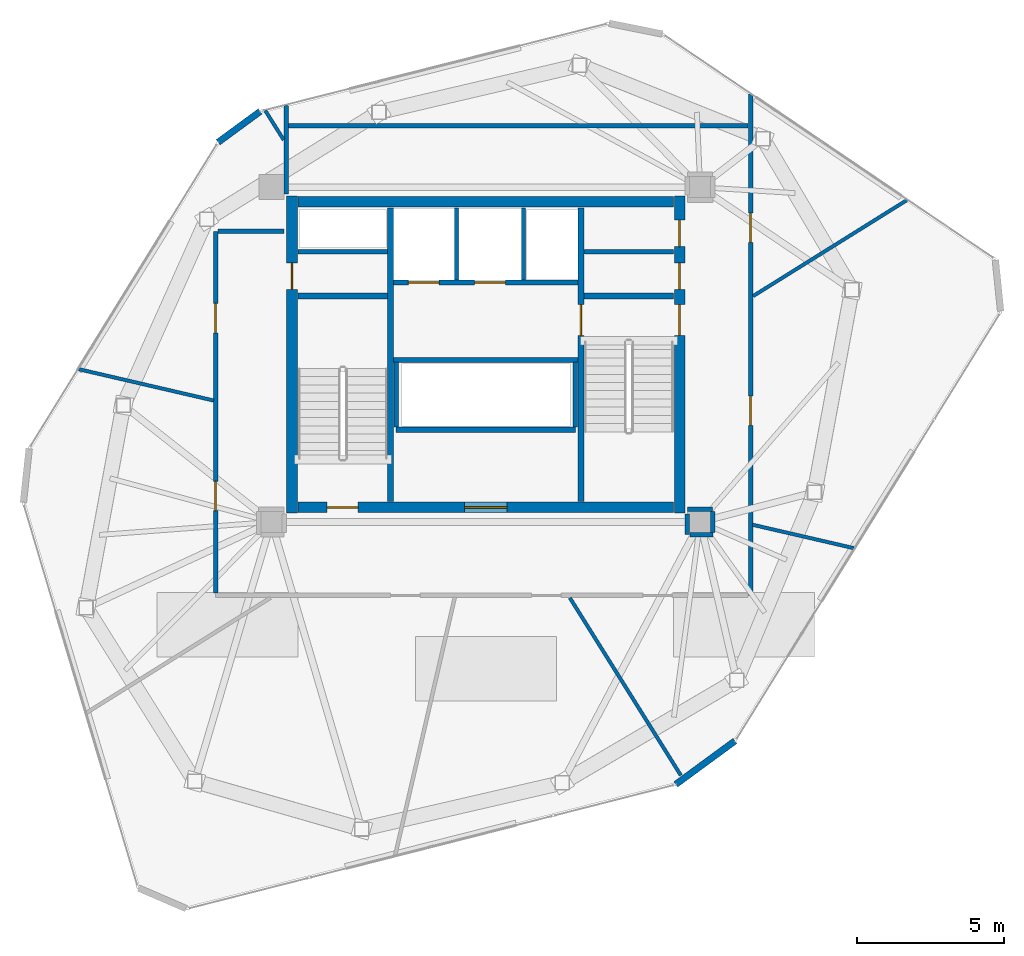
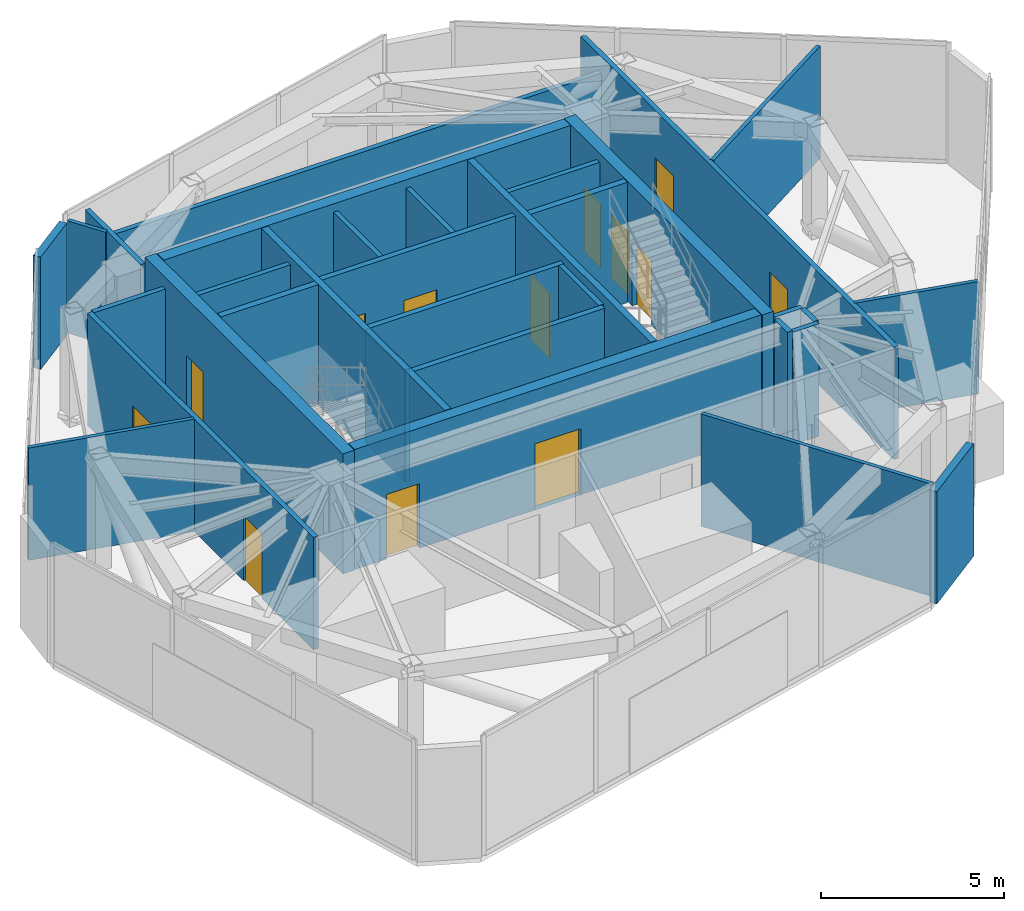
# One storey, part 18 of 21: 33 walls, 13 doors, 13 openings.
"""IFC4 building model written with IfcOpenShell, lengths in metres."""

from ifc_helpers import new_model, si_unit, direction, frame, frame_2d, origin, place, context, subcontext, project, spatial, rectangle, extrude, source, transform, mapped, material, layer, layer_set, type_object, type_shapes, element, fill, save


model = new_model("IFC4")

# Units and contexts
model_context = context("Model", 3, precision=1e-05, world=origin(), true_north=direction((0.0, 1.0)))
body_context = subcontext(model_context, "Body", "Model", "MODEL_VIEW")
ifc_project = project(units=[si_unit("LENGTHUNIT", "METRE"), si_unit("AREAUNIT", "SQUARE_METRE"), si_unit("VOLUMEUNIT", "CUBIC_METRE"), si_unit("PLANEANGLEUNIT", "RADIAN"), si_unit("MASSUNIT", "GRAM", prefix="KILO")], contexts=[model_context])

# Site, building, storey
site_placement = place(None, origin())
site = spatial("IfcSite", under=ifc_project, at=site_placement, CompositionType="ELEMENT")
building_placement = place(site_placement, origin())
building = spatial("IfcBuilding", under=site, at=building_placement, Name="Talar Marvaseh", CompositionType="ELEMENT")
storey_placement = place(building_placement, frame((0.0, 0.0, 300.0)))
storey = spatial("IfcBuildingStorey", under=building, at=storey_placement, Name="L80", CompositionType="ELEMENT", Elevation=300.0)

# Walls
ifc_material_1 = material(Name="Precast concrete C45/55", Category="concrete")
ifc_layer_1 = layer(ifc_material_1, 0.22509765625)
ifc_layer_set_1 = layer_set([ifc_layer_1], Name="Precast concrete C45/55")
wall_type_1 = type_object("IfcWallType", Name="Chamfered Hexagonal Corner Pier Wall Z4 225", PredefinedType="SOLIDWALL", material=ifc_layer_set_1)
wall_1_placement = place(storey_placement, frame((16.88134765625, 38.4306640625, 0.0), z_axis=(0.0, 0.0, 1.0), x_axis=(0.80650088536, 0.591232882977, 0.0)))
element("IfcWall", 1, at=wall_1_placement, inside=storey, type_object=wall_type_1, Name="L80 Chamfered Corner Limestone Pier 3", PredefinedType="SOLIDWALL", context=body_context, shape_type="SweptSolid", body=[
    extrude(rectangle(XDim=1.780517578125, YDim=0.22509765625, at=frame_2d((0.89013671875, 0.0))), origin(), (0.0, 0.0, 1.0), 3.739990234375),
])
wall_2_placement = place(storey_placement, frame((34.4873046875, 18.040771484375, 0.0), z_axis=(0.0, 0.0, 1.0), x_axis=(-0.806439112662, -0.591317137896, 0.0)))
element("IfcWall", 2, at=wall_2_placement, inside=storey, type_object=wall_type_1, Name="L80 Chamfered Corner Limestone Pier 6", PredefinedType="SOLIDWALL", context=body_context, shape_type="SweptSolid", body=[
    extrude(rectangle(XDim=2.50244140625, YDim=0.22509765625, at=frame_2d((1.251220703125, 0.0))), origin(), (0.0, 0.0, 1.0), 3.739990234375),
])
ifc_material_2 = material(Name="Gypsum Board Partition Assembly")
ifc_layer_2 = layer(ifc_material_2, 0.155029296875)
ifc_layer_set_2 = layer_set([ifc_layer_2], Name="Gypsum Board Partition Assembly")
wall_type_2 = type_object("IfcWallType", Name="Corridor Fire-Rated Acoustic Partition 155", PredefinedType="PARTITIONING", material=ifc_layer_set_2)
for number, where, z_axis, x_axis, name in (
    (3, (19.60009765625, 34.699951171875, 0.0), (0.0, 0.0, 1.0), (1.0, 0.0, 0.0), "L80 Core BOH Partition"),
    (4, (29.340087890625, 34.699951171875, 0.0), (0.0, 0.0, 1.0), (1.0, 0.0, 0.0), "L80 Core BOH Partition"),
):
    element("IfcWall", number, at=place(storey_placement, frame(where, z_axis=z_axis, x_axis=x_axis)), inside=storey, type_object=wall_type_2, Name=name, PredefinedType="PARTITIONING", context=body_context, shape_type="SweptSolid", body=[
        extrude(rectangle(XDim=3.059814453125, YDim=0.155029296875, at=frame_2d((1.52978515625, 0.0))), origin(), (0.0, 0.0, 1.0), 3.739990234375),
    ])

# Wall, openings, doors
wall_3_placement = place(storey_placement, frame((35.02001953125, 40.06689453125, 0.0), z_axis=(0.0, 0.0, 1.0), x_axis=(0.0, -1.0, 0.0)))
wall_3 = element("IfcWall", 5, at=wall_3_placement, inside=storey, type_object=wall_type_2, Name="L80 Interior Partition Wall", PredefinedType="PARTITIONING", context=body_context, shape_type="SweptSolid", body=[
    extrude(rectangle(XDim=17.06689453125, YDim=0.155029296875, at=frame_2d((8.533447265625, 0.0))), origin(), (0.0, 0.0, 1.0), 3.739990234375),
])
opening_1_placement = place(wall_3_placement, frame((10.279296875, 0.0, 0.0)))
opening_1 = element("IfcOpeningElement", 6, at=opening_1_placement, cuts=wall_3, Name="Opening DR-RM100", PredefinedType="OPENING", context=body_context, shape_type="SweptSolid", body=[
    extrude(rectangle(XDim=1.0, YDim=2.14990234375, at=frame_2d((0.5, 1.074951171875))), frame((0.0, 0.08740234375, 0.0), z_axis=(0.0, -1.0, 0.0), x_axis=(1.0, 0.0, 0.0)), (0.0, 0.0, 1.0), 0.175048828125),
])
opening_2_placement = place(wall_3_placement, frame((4.049072265625, 0.0, 0.0)))
opening_2 = element("IfcOpeningElement", 7, at=opening_2_placement, cuts=wall_3, Name="Opening DR-RM100", PredefinedType="OPENING", context=body_context, shape_type="SweptSolid", body=[
    extrude(rectangle(XDim=1.0, YDim=2.14990234375, at=frame_2d((0.5, 1.074951171875))), frame((0.0, 0.08740234375, 0.0), z_axis=(0.0, -1.0, 0.0), x_axis=(1.0, 0.0, 0.0)), (0.0, 0.0, 1.0), 0.175048828125),
])
ifc_material_3 = material(Name="Acoustic Engineered Oak Timber", Category="wood")
door_type_1 = type_object("IfcDoorType", Name="Corridor Fire-Rated Gallery Door 1000x2150", OperationType="NOTDEFINED", PredefinedType="DOOR", material=ifc_material_3)
shared_shape_1 = source(origin(), body_context, "Body", "SweptSolid", [
    extrude(rectangle(XDim=1.0, YDim=2.14990234375, at=frame_2d((0.5, 1.074951171875))), frame((0.0, 0.02490234375, 0.0), z_axis=(0.0, -1.0, 0.0), x_axis=(1.0, 0.0, 0.0)), (0.0, 0.0, 1.0), 0.050048828125),
])
type_shapes(door_type_1, [shared_shape_1])
door_1_placement = place(opening_1_placement, origin())
door_1 = element("IfcDoor", 8, at=door_1_placement, inside=storey, type_object=door_type_1, Name="L80 Heat Recovery Mechanical Plant Room Door", OperationType="SINGLE_SWING_LEFT", OverallHeight=2.14990234375, OverallWidth=1.0, PredefinedType="DOOR", context=body_context, shape_type="MappedRepresentation", body=[
    mapped(shared_shape_1, transform((0.0, 0.0, 0.0), x_axis=(1.0, 0.0, 0.0), y_axis=(0.0, 1.0, 0.0), z_axis=(0.0, 0.0, 1.0), scale=1.0)),
])
fill(opening_1, door_1)
door_2_placement = place(opening_2_placement, origin())
door_2 = element("IfcDoor", 9, at=door_2_placement, inside=storey, type_object=door_type_1, Name="L80 BMS Telecoms Control Plant Room Door", OperationType="SINGLE_SWING_RIGHT", OverallHeight=2.14990234375, OverallWidth=1.0, PredefinedType="DOOR", context=body_context, shape_type="MappedRepresentation", body=[
    mapped(shared_shape_1, transform((0.0, 0.0, 0.0), x_axis=(1.0, 0.0, 0.0), y_axis=(0.0, 1.0, 0.0), z_axis=(0.0, 0.0, 1.0), scale=1.0)),
])
fill(opening_2, door_2)

wall_4_placement = place(storey_placement, frame((16.800048828125, 23.08349609375, 0.0), z_axis=(0.0, 0.0, 1.0), x_axis=(0.0, 1.0, 0.0)))
wall_4 = element("IfcWall", 10, at=wall_4_placement, inside=storey, type_object=wall_type_2, Name="L80 Interior Partition Wall", PredefinedType="PARTITIONING", context=body_context, shape_type="SweptSolid", body=[
    extrude(rectangle(XDim=12.31640625, YDim=0.155029296875, at=frame_2d((6.158203125, 0.0))), origin(), (0.0, 0.0, 1.0), 3.739990234375),
])
opening_3_placement = place(wall_4_placement, frame((2.80029296875, 0.0, 0.0)))
opening_3 = element("IfcOpeningElement", 11, at=opening_3_placement, cuts=wall_4, Name="Opening DR-RM100", PredefinedType="OPENING", context=body_context, shape_type="SweptSolid", body=[
    extrude(rectangle(XDim=1.0, YDim=2.14990234375, at=frame_2d((0.5, 1.074951171875))), frame((0.0, 0.08740234375, 0.0), z_axis=(0.0, -1.0, 0.0), x_axis=(1.0, 0.0, 0.0)), (0.0, 0.0, 1.0), 0.175048828125),
])
opening_4_placement = place(wall_4_placement, frame((8.858642578125, 0.0, 0.0)))
opening_4 = element("IfcOpeningElement", 12, at=opening_4_placement, cuts=wall_4, Name="Opening DR-RM100", PredefinedType="OPENING", context=body_context, shape_type="SweptSolid", body=[
    extrude(rectangle(XDim=1.0, YDim=2.14990234375, at=frame_2d((0.5, 1.074951171875))), frame((0.0, 0.08740234375, 0.0), z_axis=(0.0, -1.0, 0.0), x_axis=(1.0, 0.0, 0.0)), (0.0, 0.0, 1.0), 0.175048828125),
])
door_3_placement = place(opening_3_placement, origin())
door_3 = element("IfcDoor", 13, at=door_3_placement, inside=storey, type_object=door_type_1, Name="L80 Chiller and Cooling Plant Room Door", OperationType="SINGLE_SWING_LEFT", OverallHeight=2.14990234375, OverallWidth=1.0, PredefinedType="DOOR", context=body_context, shape_type="MappedRepresentation", body=[
    mapped(shared_shape_1, transform((0.0, 0.0, 0.0), x_axis=(1.0, 0.0, 0.0), y_axis=(0.0, 1.0, 0.0), z_axis=(0.0, 0.0, 1.0), scale=1.0)),
])
fill(opening_3, door_3)
door_4_placement = place(opening_4_placement, origin())
door_4 = element("IfcDoor", 14, at=door_4_placement, inside=storey, type_object=door_type_1, Name="L80 Crown Pressurization Fan Plant Room Door", OperationType="SINGLE_SWING_LEFT", OverallHeight=2.14990234375, OverallWidth=1.0, PredefinedType="DOOR", context=body_context, shape_type="MappedRepresentation", body=[
    mapped(shared_shape_1, transform((0.0, 0.0, 0.0), x_axis=(1.0, 0.0, 0.0), y_axis=(0.0, 1.0, 0.0), z_axis=(0.0, 0.0, 1.0), scale=1.0)),
])
fill(opening_4, door_4)

# Walls
wall_5_placement = place(storey_placement, frame((16.883544921875, 35.39990234375, 0.0), z_axis=(0.0, 0.0, 1.0), x_axis=(1.0, 0.0, 0.0)))
element("IfcWall", 15, at=wall_5_placement, inside=storey, type_object=wall_type_2, Name="L80 Interior Partition Wall", PredefinedType="PARTITIONING", context=body_context, shape_type="SweptSolid", body=[
    extrude(rectangle(XDim=2.246337890625, YDim=0.155029296875, at=frame_2d((1.123046875, 0.0))), origin(), (0.0, 0.0, 1.0), 3.739990234375),
])
wall_6_placement = place(storey_placement, frame((19.199951171875, 36.669921875, 0.0), z_axis=(0.0, 0.0, 1.0), x_axis=(0.0, 1.0, 0.0)))
element("IfcWall", 16, at=wall_6_placement, inside=storey, type_object=wall_type_2, Name="L80 Interior Partition Wall", PredefinedType="PARTITIONING", context=body_context, shape_type="SweptSolid", body=[
    extrude(rectangle(XDim=3.01611328125, YDim=0.155029296875, at=frame_2d((1.508056640625, 0.0))), origin(), (0.0, 0.0, 1.0), 3.739990234375),
])
wall_7_placement = place(storey_placement, frame((19.283447265625, 39.0, 0.0), z_axis=(0.0, 0.0, 1.0), x_axis=(1.0, 0.0, 0.0)))
element("IfcWall", 17, at=wall_7_placement, inside=storey, type_object=wall_type_2, Name="L80 Interior Partition Wall", PredefinedType="PARTITIONING", context=body_context, shape_type="SweptSolid", body=[
    extrude(rectangle(XDim=15.653076171875, YDim=0.155029296875, at=frame_2d((7.82666015625, 0.0))), origin(), (0.0, 0.0, 1.0), 3.215087890625),
])
wall_8_placement = place(storey_placement, frame((33.72509765625, 25.93994140625, 0.0), z_axis=(0.0, 0.0, 1.0), x_axis=(-0.999986790873, -0.005139852152, 0.0)))
element("IfcWall", 18, at=wall_8_placement, inside=storey, type_object=wall_type_2, Name="L80 Interior Partition Wall", PredefinedType="PARTITIONING", context=body_context, shape_type="SweptSolid", body=[
    extrude(rectangle(XDim=0.85498046875, YDim=0.155029296875, at=frame_2d((0.427490234375, 0.0))), origin(), (0.0, 0.0, 1.0), 3.739990234375),
])
wall_9_placement = place(storey_placement, frame((32.864501953125, 25.772705078125, 0.0), z_axis=(0.0, 0.0, 1.0), x_axis=(0.0, -1.0, 0.0)))
element("IfcWall", 19, at=wall_9_placement, inside=storey, type_object=wall_type_2, Name="L80 Interior Partition Wall", PredefinedType="PARTITIONING", context=body_context, shape_type="SweptSolid", body=[
    extrude(rectangle(XDim=0.708251953125, YDim=0.155029296875, at=frame_2d((0.35400390625, 0.0))), origin(), (0.0, 0.0, 1.0), 3.739990234375),
])
wall_10_placement = place(storey_placement, frame((32.947998046875, 25.064453125, 0.0), z_axis=(0.0, 0.0, 1.0), x_axis=(1.0, 0.0, 0.0)))
element("IfcWall", 20, at=wall_10_placement, inside=storey, type_object=wall_type_2, Name="L80 Interior Partition Wall", PredefinedType="PARTITIONING", context=body_context, shape_type="SweptSolid", body=[
    extrude(rectangle(XDim=0.78759765625, YDim=0.155029296875, at=frame_2d((0.393798828125, 0.0))), origin(), (0.0, 0.0, 1.0), 3.739990234375),
])
wall_11_placement = place(storey_placement, frame((33.734619140625, 25.14794921875, 0.0), z_axis=(0.0, 0.0, 1.0), x_axis=(-0.012059770759, 0.99992727832, 0.0)))
element("IfcWall", 21, at=wall_11_placement, inside=storey, type_object=wall_type_2, Name="L80 Interior Partition Wall", PredefinedType="PARTITIONING", context=body_context, shape_type="SweptSolid", body=[
    extrude(rectangle(XDim=0.70849609375, YDim=0.155029296875, at=frame_2d((0.354248046875, 0.0))), origin(), (0.0, 0.0, 1.0), 3.739990234375),
])
ifc_layer_3 = layer(ifc_material_2, 0.1201171875)
ifc_layer_set_3 = layer_set([ifc_layer_3], Name="Gypsum Board Partition Assembly")
wall_type_3 = type_object("IfcWallType", Name="Demountable Studio Room Partition 120", PredefinedType="PARTITIONING", material=ifc_layer_set_3)
wall_12_placement = place(storey_placement, frame((12.134765625, 30.702880859375, 0.0), z_axis=(0.0, 0.0, 1.0), x_axis=(0.974107362621, -0.226085926338, 0.0)))
element("IfcWall", 22, at=wall_12_placement, inside=storey, type_object=wall_type_3, Name="L80 Interior Partition Wall", PredefinedType="PARTITIONING", context=body_context, shape_type="SweptSolid", body=[
    extrude(rectangle(XDim=4.724365234375, YDim=0.1201171875, at=frame_2d((2.3623046875, 0.0))), origin(), (0.0, 0.0, 1.0), 3.739990234375),
])
wall_13_placement = place(storey_placement, frame((28.8623046875, 22.91650390625, 0.0), z_axis=(0.0, 0.0, 1.0), x_axis=(0.529989706909, -0.848004074619, 0.0)))
element("IfcWall", 23, at=wall_13_placement, inside=storey, type_object=wall_type_3, Name="L80 Interior Partition Wall", PredefinedType="PARTITIONING", context=body_context, shape_type="SweptSolid", body=[
    extrude(rectangle(XDim=7.13037109375, YDim=0.1201171875, at=frame_2d((3.565185546875, 0.0))), origin(), (0.0, 0.0, 1.0), 3.739990234375),
])
wall_14_placement = place(storey_placement, frame((35.083251953125, 25.405517578125, 0.0), z_axis=(0.0, 0.0, 1.0), x_axis=(0.97428874952, -0.225302979473, 0.0)))
element("IfcWall", 24, at=wall_14_placement, inside=storey, type_object=wall_type_3, Name="L80 Interior Partition Wall", PredefinedType="PARTITIONING", context=body_context, shape_type="SweptSolid", body=[
    extrude(rectangle(XDim=3.5380859375, YDim=0.1201171875, at=frame_2d((1.76904296875, 0.0))), origin(), (0.0, 0.0, 1.0), 3.739990234375),
])
wall_15_placement = place(storey_placement, frame((35.103515625, 33.192138671875, 0.0), z_axis=(0.0, 0.0, 1.0), x_axis=(0.848375685231, 0.52939465119, 0.0)))
element("IfcWall", 25, at=wall_15_placement, inside=storey, type_object=wall_type_3, Name="L80 Interior Partition Wall", PredefinedType="PARTITIONING", context=body_context, shape_type="SweptSolid", body=[
    extrude(rectangle(XDim=6.175048828125, YDim=0.1201171875, at=frame_2d((3.08740234375, 0.0))), origin(), (0.0, 0.0, 1.0), 3.739990234375),
])
wall_16_placement = place(storey_placement, frame((19.116455078125, 38.5126953125, 0.0), z_axis=(0.0, 0.0, 1.0), x_axis=(-0.532201336254, 0.846617822686, 0.0)))
element("IfcWall", 26, at=wall_16_placement, inside=storey, type_object=wall_type_3, Name="L80 Interior Partition Wall", PredefinedType="PARTITIONING", context=body_context, shape_type="SweptSolid", body=[
    extrude(rectangle(XDim=1.1748046875, YDim=0.1201171875, at=frame_2d((0.58740234375, 0.0))), origin(), (0.0, 0.0, 1.0), 3.739990234375),
])
ifc_layer_4 = layer(ifc_material_1, 0.14501953125)
ifc_layer_set_4 = layer_set([ifc_layer_4], Name="Precast concrete C45/55")
wall_type_4 = type_object("IfcWallType", Name="Fire-Rated Lift Divider Wall 145", PredefinedType="SOLIDWALL", material=ifc_layer_set_4)
for number, where, z_axis, x_axis, name in (
    (27, (25.0, 33.743408203125, 0.0), (0.0, 0.0, 1.0), (0.0, 1.0, 0.0), "L80 FFL-1/FFL-2 Divider"),
    (28, (27.280029296875, 33.743408203125, 0.0), (0.0, 0.0, 1.0), (0.0, 1.0, 0.0), "L80 FFL-2/SVL-1 Divider"),
):
    element("IfcWall", number, at=place(storey_placement, frame(where, z_axis=z_axis, x_axis=x_axis)), inside=storey, type_object=wall_type_4, Name=name, PredefinedType="SOLIDWALL", context=body_context, shape_type="SweptSolid", body=[
        extrude(rectangle(XDim=2.45654296875, YDim=0.14501953125, at=frame_2d((1.228271484375, 0.0))), origin(), (0.0, 0.0, 1.0), 3.739990234375),
    ])
for number, where, z_axis, x_axis, name in (
    (29, (22.949951171875, 28.739990234375, 0.0), (0.0, 0.0, 1.0), (0.0, 1.0, 0.0), "L80 High-Rise Riser West Enclosure Wall"),
    (30, (29.050048828125, 28.739990234375, 0.0), (0.0, 0.0, 1.0), (0.0, 1.0, 0.0), "L80 High-Rise Riser East Enclosure Wall"),
):
    element("IfcWall", number, at=place(storey_placement, frame(where, z_axis=z_axis, x_axis=x_axis)), inside=storey, type_object=wall_type_4, Name=name, PredefinedType="SOLIDWALL", context=body_context, shape_type="SweptSolid", body=[
        extrude(rectangle(XDim=2.199951171875, YDim=0.14501953125, at=frame_2d((1.10009765625, 0.0))), origin(), (0.0, 0.0, 1.0), 3.739990234375),
    ])

# Wall, openings, doors
ifc_layer_5 = layer(ifc_material_1, 0.175048828125)
ifc_layer_set_5 = layer_set([ifc_layer_5], Name="Precast concrete C45/55")
wall_type_5 = type_object("IfcWallType", Name="Fire-Rated Lift Hoistway Enclosure Wall 175", PredefinedType="SOLIDWALL", material=ifc_layer_set_5)
wall_17_placement = place(storey_placement, frame((22.860107421875, 33.64990234375, 0.0), z_axis=(0.0, 0.0, 1.0), x_axis=(1.0, 0.0, 0.0)))
wall_17 = element("IfcWall", 31, at=wall_17_placement, inside=storey, type_object=wall_type_5, Name="L80 Firefighting and Service Lift Front Wall", PredefinedType="SOLIDWALL", context=body_context, shape_type="SweptSolid", body=[
    extrude(rectangle(XDim=6.27978515625, YDim=0.175048828125, at=frame_2d((3.139892578125, 0.0))), origin(), (0.0, 0.0, 1.0), 3.739990234375),
])
opening_5_placement = place(wall_17_placement, frame((0.5, 0.0, 0.0)))
opening_5 = element("IfcOpeningElement", 32, at=opening_5_placement, cuts=wall_17, Name="Opening LD-FF1", PredefinedType="OPENING", context=body_context, shape_type="SweptSolid", body=[
    extrude(rectangle(XDim=1.050048828125, YDim=2.14990234375, at=frame_2d((0.52490234375, 1.074951171875))), frame((0.0, 0.09765625, 0.0), z_axis=(0.0, -1.0, 0.0), x_axis=(1.0, 0.0, 0.0)), (0.0, 0.0, 1.0), 0.195068359375),
])
opening_6_placement = place(wall_17_placement, frame((2.760009765625, 0.0, 0.0)))
opening_6 = element("IfcOpeningElement", 33, at=opening_6_placement, cuts=wall_17, Name="Opening LD-FF2", PredefinedType="OPENING", context=body_context, shape_type="SweptSolid", body=[
    extrude(rectangle(XDim=1.050048828125, YDim=2.14990234375, at=frame_2d((0.52490234375, 1.074951171875))), frame((0.0, 0.09765625, 0.0), z_axis=(0.0, -1.0, 0.0), x_axis=(1.0, 0.0, 0.0)), (0.0, 0.0, 1.0), 0.195068359375),
])
ifc_material_4 = material(Name="Stainless Steel Grade 316", Category="steel")
door_type_2 = type_object("IfcDoorType", Name="Automatic Sliding Lift Landing Door 1050x2150", OperationType="NOTDEFINED", PredefinedType="DOOR", material=ifc_material_4)
shared_shape_2 = source(origin(), body_context, "Body", "SweptSolid", [
    extrude(rectangle(XDim=1.050048828125, YDim=2.14990234375, at=frame_2d((0.52490234375, 1.074951171875))), frame((0.0, 0.02490234375, 0.0), z_axis=(0.0, -1.0, 0.0), x_axis=(1.0, 0.0, 0.0)), (0.0, 0.0, 1.0), 0.050048828125),
])
type_shapes(door_type_2, [shared_shape_2])
door_5_placement = place(opening_5_placement, origin())
door_5 = element("IfcDoor", 34, at=door_5_placement, inside=storey, type_object=door_type_2, Name="L80 Lift FFL-1 Sliding Landing Door", OperationType="SLIDING_TO_LEFT", OverallHeight=2.14990234375, OverallWidth=1.050048828125, PredefinedType="DOOR", context=body_context, shape_type="MappedRepresentation", body=[
    mapped(shared_shape_2, transform((0.0, 0.0, 0.0), x_axis=(1.0, 0.0, 0.0), y_axis=(0.0, 1.0, 0.0), z_axis=(0.0, 0.0, 1.0), scale=1.0)),
])
fill(opening_5, door_5)
door_6_placement = place(opening_6_placement, origin())
door_6 = element("IfcDoor", 35, at=door_6_placement, inside=storey, type_object=door_type_2, Name="L80 Lift FFL-2 Sliding Landing Door", OperationType="SLIDING_TO_LEFT", OverallHeight=2.14990234375, OverallWidth=1.050048828125, PredefinedType="DOOR", context=body_context, shape_type="MappedRepresentation", body=[
    mapped(shared_shape_2, transform((0.0, 0.0, 0.0), x_axis=(1.0, 0.0, 0.0), y_axis=(0.0, 1.0, 0.0), z_axis=(0.0, 0.0, 1.0), scale=1.0)),
])
fill(opening_6, door_6)

# Walls
wall_18_placement = place(storey_placement, frame((22.860107421875, 31.02001953125, 0.0), z_axis=(0.0, 0.0, 1.0), x_axis=(1.0, 0.0, 0.0)))
element("IfcWall", 36, at=wall_18_placement, inside=storey, type_object=wall_type_5, Name="L80 Firefighting Lobby South Smoke Wall", PredefinedType="SOLIDWALL", context=body_context, shape_type="SweptSolid", body=[
    extrude(rectangle(XDim=6.27978515625, YDim=0.175048828125, at=frame_2d((3.139892578125, 0.0))), origin(), (0.0, 0.0, 1.0), 3.739990234375),
])
wall_19_placement = place(storey_placement, frame((22.949951171875, 28.639892578125, 0.0), z_axis=(0.0, 0.0, 1.0), x_axis=(1.0, 0.0, 0.0)))
element("IfcWall", 37, at=wall_19_placement, inside=storey, type_object=wall_type_5, Name="L80 High-Rise Riser South Enclosure Wall", PredefinedType="SOLIDWALL", context=body_context, shape_type="SweptSolid", body=[
    extrude(rectangle(XDim=6.10009765625, YDim=0.175048828125, at=frame_2d((3.050048828125, 0.0))), origin(), (0.0, 0.0, 1.0), 3.739990234375),
])
ifc_material_5 = material(Name="Concrete C50/60", Category="concrete")
ifc_layer_6 = layer(ifc_material_5, 0.199951171875)
ifc_layer_set_6 = layer_set([ifc_layer_6], Name="Concrete C50/60")
wall_type_6 = type_object("IfcWallType", Name="Stair Shaft Structural Concrete Shear Wall 200", PredefinedType="SHEAR", material=ifc_layer_set_6)
wall_20_placement = place(storey_placement, frame((22.760009765625, 26.199951171875, 0.0), z_axis=(0.0, 0.0, 1.0), x_axis=(0.0, 1.0, 0.0)))
element("IfcWall", 38, at=wall_20_placement, inside=storey, type_object=wall_type_6, Name="L80 Core West Stair Shear Wall", PredefinedType="SHEAR", context=body_context, shape_type="SweptSolid", body=[
    extrude(rectangle(XDim=10.0, YDim=0.199951171875, at=frame_2d((5.0, 0.0))), origin(), (0.0, 0.0, 1.0), 4.0),
])

# Wall, opening, door
wall_21_placement = place(storey_placement, frame((29.239990234375, 26.199951171875, 0.0), z_axis=(0.0, 0.0, 1.0), x_axis=(0.0, 1.0, 0.0)))
wall_21 = element("IfcWall", 39, at=wall_21_placement, inside=storey, type_object=wall_type_6, Name="L80 Core East Stair Shear Wall", PredefinedType="SHEAR", context=body_context, shape_type="SweptSolid", body=[
    extrude(rectangle(XDim=10.0, YDim=0.199951171875, at=frame_2d((5.0, 0.0))), origin(), (0.0, 0.0, 1.0), 4.0),
])
opening_7_placement = place(wall_21_placement, frame((5.64990234375, 0.0, 0.0)))
opening_7 = element("IfcOpeningElement", 40, at=opening_7_placement, cuts=wall_21, Name="Opening DR-ST105", PredefinedType="OPENING", context=body_context, shape_type="SweptSolid", body=[
    extrude(rectangle(XDim=1.050048828125, YDim=2.14990234375, at=frame_2d((0.52490234375, 1.074951171875))), frame((0.0, 0.10986328125, 0.0), z_axis=(0.0, -1.0, 0.0), x_axis=(1.0, 0.0, 0.0)), (0.0, 0.0, 1.0), 0.219970703125),
])
ifc_material_6 = material(Name="Fire-Rated Steel Door Leaf", Category="steel")
door_type_3 = type_object("IfcDoorType", Name="Protected Exit Stair Fire Door 1050x2150", OperationType="NOTDEFINED", PredefinedType="DOOR", material=ifc_material_6)
shared_shape_3 = source(origin(), body_context, "Body", "SweptSolid", [
    extrude(rectangle(XDim=1.050048828125, YDim=2.14990234375, at=frame_2d((0.52490234375, 1.074951171875))), frame((0.0, 0.02490234375, 0.0), z_axis=(0.0, -1.0, 0.0), x_axis=(1.0, 0.0, 0.0)), (0.0, 0.0, 1.0), 0.050048828125),
])
type_shapes(door_type_3, [shared_shape_3])
door_7_placement = place(opening_7_placement, origin())
door_7 = element("IfcDoor", 41, at=door_7_placement, inside=storey, type_object=door_type_3, Name="L80 Firefighting Lobby to Stair ST-2 Door", OperationType="SINGLE_SWING_LEFT", OverallHeight=2.14990234375, OverallWidth=1.050048828125, PredefinedType="DOOR", context=body_context, shape_type="MappedRepresentation", body=[
    mapped(shared_shape_3, transform((0.0, 0.0, 0.0), x_axis=(1.0, 0.0, 0.0), y_axis=(0.0, 1.0, 0.0), z_axis=(0.0, 0.0, 1.0), scale=1.0)),
])
fill(opening_7, door_7)

# Walls
for number, where, z_axis, x_axis, name in (
    (42, (19.60009765625, 33.199951171875, 0.0), (0.0, 0.0, 1.0), (1.0, 0.0, 0.0), "L80 Stair ST-1 North Shear Wall"),
    (43, (29.340087890625, 33.199951171875, 0.0), (0.0, 0.0, 1.0), (1.0, 0.0, 0.0), "L80 Stair ST-2 North Shear Wall"),
):
    element("IfcWall", number, at=place(storey_placement, frame(where, z_axis=z_axis, x_axis=x_axis)), inside=storey, type_object=wall_type_6, Name=name, PredefinedType="SHEAR", context=body_context, shape_type="SweptSolid", body=[
        extrude(rectangle(XDim=3.059814453125, YDim=0.199951171875, at=frame_2d((1.52978515625, 0.0))), origin(), (0.0, 0.0, 1.0), 4.0),
    ])

# Wall, opening, door
ifc_layer_7 = layer(ifc_material_5, 0.360107421875)
ifc_layer_set_7 = layer_set([ifc_layer_7], Name="Concrete C50/60")
wall_type_7 = type_object("IfcWallType", Name="Upper Core Reinforced Concrete Shear Wall 360", PredefinedType="SHEAR", material=ifc_layer_set_7)
wall_22_placement = place(storey_placement, frame((19.39990234375, 25.800048828125, 0.0), z_axis=(0.0, 0.0, 1.0), x_axis=(0.0, 1.0, 0.0)))
wall_22 = element("IfcWall", 44, at=wall_22_placement, inside=storey, type_object=wall_type_7, Name="L80 West Core Shear Wall", PredefinedType="SHEAR", context=body_context, shape_type="SweptSolid", body=[
    extrude(rectangle(XDim=10.800048828125, YDim=0.360107421875, at=frame_2d((5.39990234375, 0.0))), origin(), (0.0, 0.0, 1.0), 4.0),
])
opening_8_placement = place(wall_22_placement, frame((7.6201171875, 0.0, 0.0)))
opening_8 = element("IfcOpeningElement", 45, at=opening_8_placement, cuts=wall_22, Name="Opening DR-BOH090", PredefinedType="OPENING", context=body_context, shape_type="SweptSolid", body=[
    extrude(rectangle(XDim=0.89990234375, YDim=2.10009765625, at=frame_2d((0.449951171875, 1.050048828125))), frame((0.0, 0.18994140625, 0.0), z_axis=(0.0, -1.0, 0.0), x_axis=(1.0, 0.0, 0.0)), (0.0, 0.0, 1.0), 0.380126953125),
])
door_type_4 = type_object("IfcDoorType", Name="Core Back-of-House Service Door 900x2100", OperationType="NOTDEFINED", PredefinedType="DOOR", material=ifc_material_6)
shared_shape_4 = source(origin(), body_context, "Body", "SweptSolid", [
    extrude(rectangle(XDim=0.89990234375, YDim=2.10009765625, at=frame_2d((0.449951171875, 1.050048828125))), frame((0.0, 0.02490234375, 0.0), z_axis=(0.0, -1.0, 0.0), x_axis=(1.0, 0.0, 0.0)), (0.0, 0.0, 1.0), 0.050048828125),
])
type_shapes(door_type_4, [shared_shape_4])
door_8_placement = place(opening_8_placement, origin())
door_8 = element("IfcDoor", 46, at=door_8_placement, inside=storey, type_object=door_type_4, Name="L80 Cleaner Core West Closet Door", OperationType="SINGLE_SWING_LEFT", OverallHeight=2.10009765625, OverallWidth=0.89990234375, PredefinedType="DOOR", context=body_context, shape_type="MappedRepresentation", body=[
    mapped(shared_shape_4, transform((0.0, 0.0, 0.0), x_axis=(1.0, 0.0, 0.0), y_axis=(0.0, 1.0, 0.0), z_axis=(0.0, 0.0, 1.0), scale=1.0)),
])
fill(opening_8, door_8)

# Wall, openings, doors
wall_23_placement = place(storey_placement, frame((32.60009765625, 36.60009765625, 0.0), z_axis=(0.0, 0.0, 1.0), x_axis=(0.0, -1.0, 0.0)))
wall_23 = element("IfcWall", 47, at=wall_23_placement, inside=storey, type_object=wall_type_7, Name="L80 East Core Shear Wall", PredefinedType="SHEAR", context=body_context, shape_type="SweptSolid", body=[
    extrude(rectangle(XDim=10.800048828125, YDim=0.360107421875, at=frame_2d((5.39990234375, 0.0))), origin(), (0.0, 0.0, 1.0), 4.0),
])
opening_9_placement = place(wall_23_placement, frame((3.699951171875, 0.0, 0.0)))
opening_9 = element("IfcOpeningElement", 48, at=opening_9_placement, cuts=wall_23, Name="Opening DR-ST105", PredefinedType="OPENING", context=body_context, shape_type="SweptSolid", body=[
    extrude(rectangle(XDim=1.050048828125, YDim=2.14990234375, at=frame_2d((0.52490234375, 1.074951171875))), frame((0.0, 0.18994140625, 0.0), z_axis=(0.0, -1.0, 0.0), x_axis=(1.0, 0.0, 0.0)), (0.0, 0.0, 1.0), 0.380126953125),
])
opening_10_placement = place(wall_23_placement, frame((2.280029296875, 0.0, 0.0)))
opening_10 = element("IfcOpeningElement", 49, at=opening_10_placement, cuts=wall_23, Name="Opening DR-BOH090", PredefinedType="OPENING", context=body_context, shape_type="SweptSolid", body=[
    extrude(rectangle(XDim=0.89990234375, YDim=2.10009765625, at=frame_2d((0.449951171875, 1.050048828125))), frame((0.0, 0.18994140625, 0.0), z_axis=(0.0, -1.0, 0.0), x_axis=(1.0, 0.0, 0.0)), (0.0, 0.0, 1.0), 0.380126953125),
])
opening_11_placement = place(wall_23_placement, frame((0.820068359375, 0.0, 0.0)))
opening_11 = element("IfcOpeningElement", 50, at=opening_11_placement, cuts=wall_23, Name="Opening DR-BOH090", PredefinedType="OPENING", context=body_context, shape_type="SweptSolid", body=[
    extrude(rectangle(XDim=0.89990234375, YDim=2.10009765625, at=frame_2d((0.449951171875, 1.050048828125))), frame((0.0, 0.18994140625, 0.0), z_axis=(0.0, -1.0, 0.0), x_axis=(1.0, 0.0, 0.0)), (0.0, 0.0, 1.0), 0.380126953125),
])
door_9_placement = place(opening_9_placement, origin())
door_9 = element("IfcDoor", 51, at=door_9_placement, inside=storey, type_object=door_type_3, Name="L80 Stair ST-2 Corridor Exit Door", OperationType="SINGLE_SWING_LEFT", OverallHeight=2.14990234375, OverallWidth=1.050048828125, PredefinedType="DOOR", context=body_context, shape_type="MappedRepresentation", body=[
    mapped(shared_shape_3, transform((0.0, 0.0, 0.0), x_axis=(1.0, 0.0, 0.0), y_axis=(0.0, 1.0, 0.0), z_axis=(0.0, 0.0, 1.0), scale=1.0)),
])
fill(opening_9, door_9)
door_10_placement = place(opening_10_placement, origin())
door_10 = element("IfcDoor", 52, at=door_10_placement, inside=storey, type_object=door_type_4, Name="L80 Cleaner Core East Closet Door", OperationType="SINGLE_SWING_LEFT", OverallHeight=2.10009765625, OverallWidth=0.89990234375, PredefinedType="DOOR", context=body_context, shape_type="MappedRepresentation", body=[
    mapped(shared_shape_4, transform((0.0, 0.0, 0.0), x_axis=(1.0, 0.0, 0.0), y_axis=(0.0, 1.0, 0.0), z_axis=(0.0, 0.0, 1.0), scale=1.0)),
])
fill(opening_10, door_10)
door_11_placement = place(opening_11_placement, origin())
door_11 = element("IfcDoor", 53, at=door_11_placement, inside=storey, type_object=door_type_4, Name="L80 Store Core Supplies Room Door", OperationType="SINGLE_SWING_RIGHT", OverallHeight=2.10009765625, OverallWidth=0.89990234375, PredefinedType="DOOR", context=body_context, shape_type="MappedRepresentation", body=[
    mapped(shared_shape_4, transform((0.0, 0.0, 0.0), x_axis=(1.0, 0.0, 0.0), y_axis=(0.0, 1.0, 0.0), z_axis=(0.0, 0.0, 1.0), scale=1.0)),
])
fill(opening_11, door_11)

# Wall
wall_24_placement = place(storey_placement, frame((19.60009765625, 36.39990234375, 0.0), z_axis=(0.0, 0.0, 1.0), x_axis=(1.0, 0.0, 0.0)))
element("IfcWall", 54, at=wall_24_placement, inside=storey, type_object=wall_type_7, Name="L80 North Core Shear Wall", PredefinedType="SHEAR", context=body_context, shape_type="SweptSolid", body=[
    extrude(rectangle(XDim=12.7998046875, YDim=0.360107421875, at=frame_2d((6.39990234375, 0.0))), origin(), (0.0, 0.0, 1.0), 4.0),
])

# Wall, openings, doors
wall_25_placement = place(storey_placement, frame((32.39990234375, 26.0, 0.0), z_axis=(0.0, 0.0, 1.0), x_axis=(-1.0, 0.0, 0.0)))
wall_25 = element("IfcWall", 55, at=wall_25_placement, inside=storey, type_object=wall_type_7, Name="L80 South Core Shear Wall", PredefinedType="SHEAR", context=body_context, shape_type="SweptSolid", body=[
    extrude(rectangle(XDim=12.7998046875, YDim=0.360107421875, at=frame_2d((6.39990234375, 0.0))), origin(), (0.0, 0.0, 1.0), 4.0),
])
opening_12_placement = place(wall_25_placement, frame((10.75, 0.0, 0.0)))
opening_12 = element("IfcOpeningElement", 56, at=opening_12_placement, cuts=wall_25, Name="Opening DR-ST105", PredefinedType="OPENING", context=body_context, shape_type="SweptSolid", body=[
    extrude(rectangle(XDim=1.050048828125, YDim=2.14990234375, at=frame_2d((0.52490234375, 1.074951171875))), frame((0.0, 0.18994140625, 0.0), z_axis=(0.0, -1.0, 0.0), x_axis=(1.0, 0.0, 0.0)), (0.0, 0.0, 1.0), 0.380126953125),
])
opening_13_placement = place(wall_25_placement, frame((5.669921875, 0.0, 0.0)))
opening_13 = element("IfcOpeningElement", 57, at=opening_13_placement, cuts=wall_25, Name="Opening DR-LBY145", PredefinedType="OPENING", context=body_context, shape_type="SweptSolid", body=[
    extrude(rectangle(XDim=1.449951171875, YDim=2.199951171875, at=frame_2d((0.72509765625, 1.10009765625))), frame((0.0, 0.18994140625, 0.0), z_axis=(0.0, -1.0, 0.0), x_axis=(1.0, 0.0, 0.0)), (0.0, 0.0, 1.0), 0.380126953125),
])
door_12_placement = place(opening_12_placement, origin())
door_12 = element("IfcDoor", 58, at=door_12_placement, inside=storey, type_object=door_type_3, Name="L80 Stair ST-1 Exit Door", OperationType="SINGLE_SWING_RIGHT", OverallHeight=2.14990234375, OverallWidth=1.050048828125, PredefinedType="DOOR", context=body_context, shape_type="MappedRepresentation", body=[
    mapped(shared_shape_3, transform((0.0, 0.0, 0.0), x_axis=(1.0, 0.0, 0.0), y_axis=(0.0, 1.0, 0.0), z_axis=(0.0, 0.0, 1.0), scale=1.0)),
])
fill(opening_12, door_12)
door_type_5 = type_object("IfcDoorType", Name="Core Lift Lobby Double Smoke Door 1450x2200", OperationType="NOTDEFINED", PredefinedType="DOOR", material=ifc_material_6)
shared_shape_5 = source(origin(), body_context, "Body", "SweptSolid", [
    extrude(rectangle(XDim=1.449951171875, YDim=2.199951171875, at=frame_2d((0.72509765625, 1.10009765625))), frame((0.0, 0.02490234375, 0.0), z_axis=(0.0, -1.0, 0.0), x_axis=(1.0, 0.0, 0.0)), (0.0, 0.0, 1.0), 0.050048828125),
])
type_shapes(door_type_5, [shared_shape_5])
door_13_placement = place(opening_13_placement, origin())
door_13 = element("IfcDoor", 59, at=door_13_placement, inside=storey, type_object=door_type_5, Name="L80 Passenger Lift Lobby Entrance Door", OperationType="DOUBLE_DOOR_SINGLE_SWING", OverallHeight=2.199951171875, OverallWidth=1.449951171875, PredefinedType="DOOR", context=body_context, shape_type="MappedRepresentation", body=[
    mapped(shared_shape_5, transform((0.0, 0.0, 0.0), x_axis=(1.0, 0.0, 0.0), y_axis=(0.0, 1.0, 0.0), z_axis=(0.0, 0.0, 1.0), scale=1.0)),
])
fill(opening_13, door_13)

save(model, "model.ifc")
